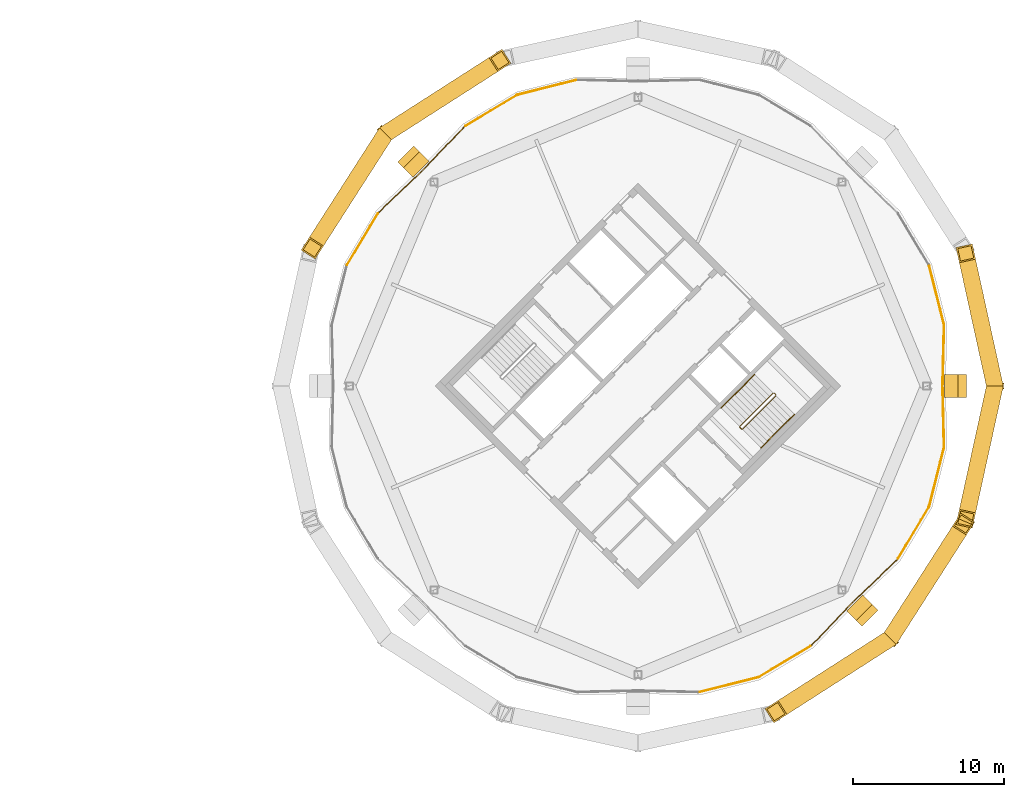
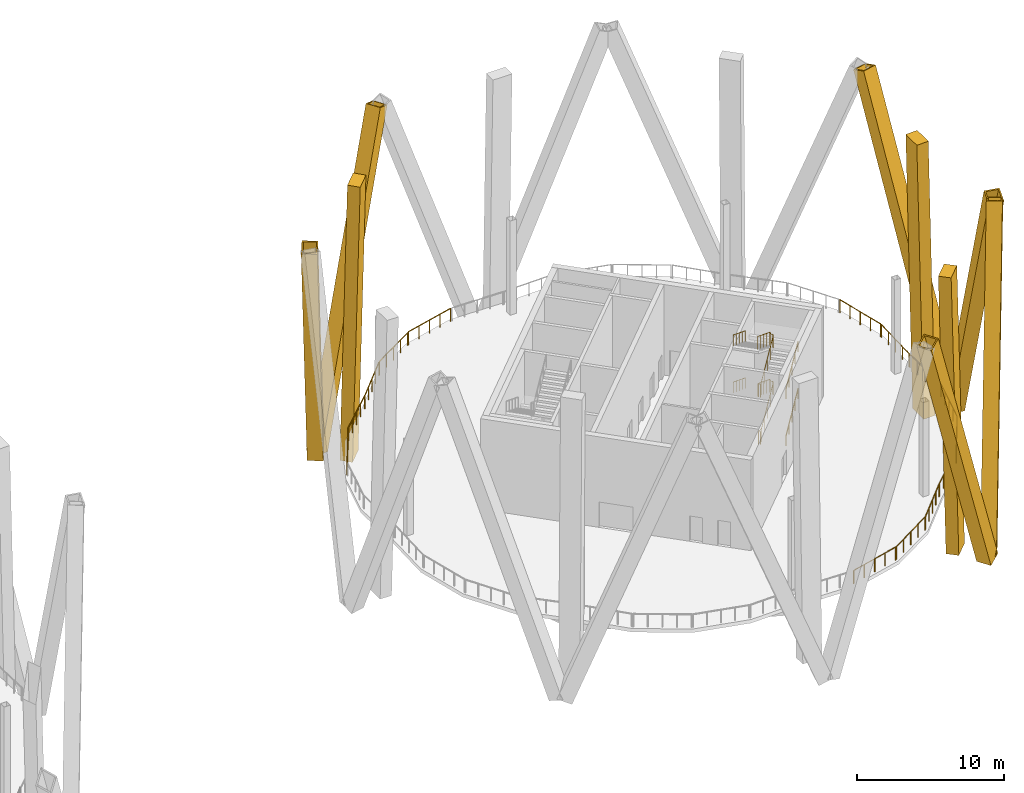
# One storey, part 12 of 13: 19 railings, 9 coverings.
"""IFC4 building model written with IfcOpenShell, lengths in metres."""

from ifc_helpers import new_model, si_unit, direction, frame, origin, origin_2d, place, context, subcontext, project, spatial, rectangle, hollow_rectangle, circle, extrude, material, material_profile, profile_set, type_object, element, save


model = new_model("IFC4")

# Units and contexts
model_context = context("Model", 3, precision=1e-05, world=origin(), true_north=direction((0.0, 1.0)))
body_context = subcontext(model_context, "Body", "Model", "MODEL_VIEW")
ifc_project = project(units=[si_unit("LENGTHUNIT", "METRE"), si_unit("AREAUNIT", "SQUARE_METRE"), si_unit("VOLUMEUNIT", "CUBIC_METRE"), si_unit("PLANEANGLEUNIT", "RADIAN"), si_unit("MASSUNIT", "GRAM", prefix="KILO")], contexts=[model_context])

# Site, building, storey
site_placement = place(None, origin())
site = spatial("IfcSite", under=ifc_project, at=site_placement, CompositionType="ELEMENT")
building_placement = place(site_placement, origin())
building = spatial("IfcBuilding", under=site, at=building_placement, Name="Ogive Gate Towers", CompositionType="ELEMENT")
storey_placement = place(building_placement, frame((0.0, 0.0, 221.10009765625)))
storey = spatial("IfcBuildingStorey", under=building, at=storey_placement, Name="L53", CompositionType="ELEMENT", Elevation=221.10009765625)

# Coverings
ifc_material_1 = material(Name="Pale metal aluminium", Category="aluminium")
ifc_material_profile_1 = material_profile(ifc_material_1, rectangle(XDim=1.5, YDim=0.89990234375, at=origin_2d()), Name="1500 x 900 pale metal aluminium")
ifc_profile_set_1 = profile_set([ifc_material_profile_1], Name="Pale metal aluminium")
covering_type_1 = type_object("IfcCoveringType", Name="Crease colonnette 1500 x 900", PredefinedType="CLADDING", material=ifc_profile_set_1)
for number, where, z_axis, x_axis, name in (
    (1, (57.300048828125, 0.0, -4.10009765625), (-0.023576037518, 0.0, 0.999722046598), (0.0, -1.0, 0.0), "Crease colonnette"),
    (2, (20.938720703125, 15.061279296875, -4.10009765625), (0.016658843266, -0.016658843266, 0.999722444423), (0.707106781187, 0.707106781187, 0.0), "Crease colonnette"),
    (3, (51.061279296875, -15.061279296875, -4.10009765625), (-0.016658843266, 0.016658843266, 0.999722444423), (-0.707106781187, -0.707106781187, 0.0), "Crease colonnette"),
):
    element("IfcCovering", number, at=place(storey_placement, frame(where, z_axis=z_axis, x_axis=x_axis)), inside=storey, type_object=covering_type_1, Name=name, PredefinedType="CLADDING", context=body_context, shape_type="SweptSolid", body=[
        extrude(rectangle(XDim=1.5, YDim=0.89990234375, at=origin_2d()), origin(), (0.0, 0.0, 1.0), 22.90625),
    ])
ifc_material_2 = material(Name="Pale metal aluminium cladding", Category="aluminium")
ifc_material_profile_2 = material_profile(ifc_material_2, hollow_rectangle(XDim=1.10009765625, YDim=1.10009765625, WallThickness=0.10009765625, at=origin_2d()), Name="1100 x 1100 pale metal casing")
ifc_profile_set_2 = profile_set([ifc_material_profile_2], Name="Pale metal aluminium cladding")
covering_type_2 = type_object("IfcCoveringType", Name="Diagrid casing 1100 x 1100", PredefinedType="CLADDING", material=ifc_profile_set_2)
for number, where, z_axis, x_axis, name in (
    (4, (59.598388671875, -0.190185546875, -4.28564453125), (-0.075666188723, -0.345556326789, 0.935342425479), (0.976855297025, -0.21390121242, 0.0), "Diagrid casing"),
    (5, (59.598388671875, 0.190185546875, -4.28564453125), (-0.075666188723, 0.345556326789, 0.935342425479), (-0.976855297025, -0.21390121242, 0.0), "Diagrid casing"),
    (6, (19.44775390625, 16.821044921875, -4.28564453125), (0.297856011223, 0.1908382324, 0.935340882049), (-0.539475544511, 0.842001268927, 0.0), "Diagrid casing"),
    (7, (19.178955078125, 16.55224609375, -4.28564453125), (-0.1908382324, -0.297856011223, 0.935340882049), (0.842001268927, -0.539475544511, 0.0), "Diagrid casing"),
    (8, (52.55224609375, -16.821044921875, -4.28564453125), (-0.297856011223, -0.1908382324, 0.935340882049), (0.539475544511, -0.842001268927, 0.0), "Diagrid casing"),
    (9, (52.821044921875, -16.55224609375, -4.28564453125), (0.1908382324, 0.297856011223, 0.935340882049), (-0.842001268927, 0.539475544511, 0.0), "Diagrid casing"),
):
    element("IfcCovering", number, at=place(storey_placement, frame(where, z_axis=z_axis, x_axis=x_axis)), inside=storey, type_object=covering_type_2, Name=name, PredefinedType="CLADDING", context=body_context, shape_type="SweptSolid", body=[
        extrude(hollow_rectangle(XDim=1.10009765625, YDim=1.10009765625, WallThickness=0.10009765625, at=origin_2d()), origin(), (0.0, 0.0, 1.0), 24.8798828125),
    ])

# Railings
ifc_material_3 = material(Name="Stainless steel", Category="steel")
railing_type_1 = type_object("IfcRailingType", Name="Guard 1100", PredefinedType="GUARDRAIL", material=ifc_material_3)
railing_1_placement = place(storey_placement, frame((56.18115234375, 0.050048828125, 0.0)))
element("IfcRailing", 10, at=railing_1_placement, inside=storey, type_object=railing_type_1, Name="Wind floor guard", PredefinedType="GUARDRAIL", context=body_context, shape_type="SweptSolid", body=[
    extrude(circle(Radius=0.02392578125, at=origin_2d()), frame((0.0, 0.0, 1.076171875), z_axis=(0.024276086252, 0.999705292392, 0.0), x_axis=(-0.999705292392, 0.024276086252, 0.0)), (0.0, 0.0, 1.0), 3.952392578125),
    extrude(circle(Radius=0.02099609375, at=origin_2d()), origin(), (0.0, 0.0, 1.0), 1.052001953125),
    extrude(circle(Radius=0.02099609375, at=origin_2d()), frame((0.02392578125, 0.98779296875, 0.0)), (0.0, 0.0, 1.0), 1.052001953125),
    extrude(circle(Radius=0.02099609375, at=origin_2d()), frame((0.0478515625, 1.9755859375, 0.0)), (0.0, 0.0, 1.0), 1.052001953125),
    extrude(circle(Radius=0.02099609375, at=origin_2d()), frame((0.072021484375, 2.96337890625, 0.0)), (0.0, 0.0, 1.0), 1.052001953125),
    extrude(circle(Radius=0.02099609375, at=origin_2d()), frame((0.095947265625, 3.951171875, 0.0)), (0.0, 0.0, 1.0), 1.052001953125),
])
railing_2_placement = place(storey_placement, frame((56.26611328125, 4.099609375, 0.0)))
element("IfcRailing", 11, at=railing_2_placement, inside=storey, type_object=railing_type_1, Name="Wind floor guard", PredefinedType="GUARDRAIL", context=body_context, shape_type="SweptSolid", body=[
    extrude(circle(Radius=0.02392578125, at=origin_2d()), frame((0.0, 0.0, 1.076171875), z_axis=(-0.243710163723, 0.969848109808, 0.0), x_axis=(-0.969848109808, -0.243710163723, 0.0)), (0.0, 0.0, 1.0), 3.9609375),
    extrude(circle(Radius=0.02099609375, at=origin_2d()), origin(), (0.0, 0.0, 1.0), 1.052001953125),
    extrude(circle(Radius=0.02099609375, at=origin_2d()), frame((-0.2412109375, 0.96044921875, 0.0)), (0.0, 0.0, 1.0), 1.052001953125),
    extrude(circle(Radius=0.02099609375, at=origin_2d()), frame((-0.482666015625, 1.9208984375, 0.0)), (0.0, 0.0, 1.0), 1.052001953125),
    extrude(circle(Radius=0.02099609375, at=origin_2d()), frame((-0.72412109375, 2.881103515625, 0.0)), (0.0, 0.0, 1.0), 1.052001953125),
    extrude(circle(Radius=0.02099609375, at=origin_2d()), frame((-0.96533203125, 3.841552734375, 0.0)), (0.0, 0.0, 1.0), 1.052001953125),
])
railing_3_placement = place(storey_placement, frame((31.900390625, 20.26611328125, 0.0)))
element("IfcRailing", 12, at=railing_3_placement, inside=storey, type_object=railing_type_1, Name="Wind floor guard", PredefinedType="GUARDRAIL", context=body_context, shape_type="SweptSolid", body=[
    extrude(circle(Radius=0.02392578125, at=origin_2d()), frame((0.0, 0.0, 1.076171875), z_axis=(-0.969848109808, -0.243710163723, 0.0), x_axis=(0.243710163723, -0.969848109808, 0.0)), (0.0, 0.0, 1.0), 3.9609375),
    extrude(circle(Radius=0.02099609375, at=origin_2d()), origin(), (0.0, 0.0, 1.0), 1.052001953125),
    extrude(circle(Radius=0.02099609375, at=origin_2d()), frame((-0.96044921875, -0.2412109375, 0.0)), (0.0, 0.0, 1.0), 1.052001953125),
    extrude(circle(Radius=0.02099609375, at=origin_2d()), frame((-1.9208984375, -0.482666015625, 0.0)), (0.0, 0.0, 1.0), 1.052001953125),
    extrude(circle(Radius=0.02099609375, at=origin_2d()), frame((-2.881103515625, -0.72412109375, 0.0)), (0.0, 0.0, 1.0), 1.052001953125),
    extrude(circle(Radius=0.02099609375, at=origin_2d()), frame((-3.841552734375, -0.96533203125, 0.0)), (0.0, 0.0, 1.0), 1.052001953125),
])
railing_4_placement = place(storey_placement, frame((27.967529296875, 19.262939453125, 0.0)))
element("IfcRailing", 13, at=railing_4_placement, inside=storey, type_object=railing_type_1, Name="Wind floor guard", PredefinedType="GUARDRAIL", context=body_context, shape_type="SweptSolid", body=[
    extrude(circle(Radius=0.02392578125, at=origin_2d()), frame((0.0, 0.0, 1.076171875), z_axis=(-0.858096005426, -0.513489284672, 0.0), x_axis=(0.513489284672, -0.858096005426, 0.0)), (0.0, 0.0, 1.0), 3.9609375),
    extrude(circle(Radius=0.02099609375, at=origin_2d()), origin(), (0.0, 0.0, 1.0), 1.052001953125),
    extrude(circle(Radius=0.02099609375, at=origin_2d()), frame((-0.849609375, -0.508544921875, 0.0)), (0.0, 0.0, 1.0), 1.052001953125),
    extrude(circle(Radius=0.02099609375, at=origin_2d()), frame((-1.699462890625, -1.01708984375, 0.0)), (0.0, 0.0, 1.0), 1.052001953125),
    extrude(circle(Radius=0.02099609375, at=origin_2d()), frame((-2.54931640625, -1.525390625, 0.0)), (0.0, 0.0, 1.0), 1.052001953125),
    extrude(circle(Radius=0.02099609375, at=origin_2d()), frame((-3.39892578125, -2.033935546875, 0.0)), (0.0, 0.0, 1.0), 1.052001953125),
])
railing_5_placement = place(storey_placement, frame((24.4912109375, 17.167236328125, 0.0)))
element("IfcRailing", 14, at=railing_5_placement, inside=storey, type_object=railing_type_1, Name="Wind floor guard", PredefinedType="GUARDRAIL", context=body_context, shape_type="SweptSolid", body=[
    extrude(circle(Radius=0.02392578125, at=origin_2d()), frame((0.0, 0.0, 1.076171875), z_axis=(-0.689756969801, -0.724040967494, 0.0), x_axis=(0.724040967494, -0.689756969801, 0.0)), (0.0, 0.0, 1.0), 3.9521484375),
    extrude(circle(Radius=0.02099609375, at=origin_2d()), origin(), (0.0, 0.0, 1.0), 1.052001953125),
    extrude(circle(Radius=0.02099609375, at=origin_2d()), frame((-0.681640625, -0.71533203125, 0.0)), (0.0, 0.0, 1.0), 1.052001953125),
    extrude(circle(Radius=0.02099609375, at=origin_2d()), frame((-1.363037109375, -1.4306640625, 0.0)), (0.0, 0.0, 1.0), 1.052001953125),
    extrude(circle(Radius=0.02099609375, at=origin_2d()), frame((-2.04443359375, -2.146240234375, 0.0)), (0.0, 0.0, 1.0), 1.052001953125),
    extrude(circle(Radius=0.02099609375, at=origin_2d()), frame((-2.72607421875, -2.861572265625, 0.0)), (0.0, 0.0, 1.0), 1.052001953125),
])
railing_6_placement = place(storey_placement, frame((21.6943359375, 14.23486328125, 0.0)))
element("IfcRailing", 15, at=railing_6_placement, inside=storey, type_object=railing_type_1, Name="Wind floor guard", PredefinedType="GUARDRAIL", context=body_context, shape_type="SweptSolid", body=[
    extrude(circle(Radius=0.02392578125, at=origin_2d()), frame((0.0, 0.0, 1.076171875), z_axis=(-0.724040967494, -0.689756969801, 0.0), x_axis=(0.689756969801, -0.724040967494, 0.0)), (0.0, 0.0, 1.0), 3.9521484375),
    extrude(circle(Radius=0.02099609375, at=origin_2d()), origin(), (0.0, 0.0, 1.0), 1.052001953125),
    extrude(circle(Radius=0.02099609375, at=origin_2d()), frame((-0.71533203125, -0.681640625, 0.0)), (0.0, 0.0, 1.0), 1.052001953125),
    extrude(circle(Radius=0.02099609375, at=origin_2d()), frame((-1.4306640625, -1.363037109375, 0.0)), (0.0, 0.0, 1.0), 1.052001953125),
    extrude(circle(Radius=0.02099609375, at=origin_2d()), frame((-2.146240234375, -2.04443359375, 0.0)), (0.0, 0.0, 1.0), 1.052001953125),
    extrude(circle(Radius=0.02099609375, at=origin_2d()), frame((-2.861572265625, -2.72607421875, 0.0)), (0.0, 0.0, 1.0), 1.052001953125),
])
railing_7_placement = place(storey_placement, frame((18.77099609375, 11.431396484375, 0.0)))
element("IfcRailing", 16, at=railing_7_placement, inside=storey, type_object=railing_type_1, Name="Wind floor guard", PredefinedType="GUARDRAIL", context=body_context, shape_type="SweptSolid", body=[
    extrude(circle(Radius=0.02392578125, at=origin_2d()), frame((0.0, 0.0, 1.076171875), z_axis=(-0.513489284672, -0.858096005426, 0.0), x_axis=(0.858096005426, -0.513489284672, 0.0)), (0.0, 0.0, 1.0), 3.9609375),
    extrude(circle(Radius=0.02099609375, at=origin_2d()), origin(), (0.0, 0.0, 1.0), 1.052001953125),
    extrude(circle(Radius=0.02099609375, at=origin_2d()), frame((-0.508544921875, -0.849609375, 0.0)), (0.0, 0.0, 1.0), 1.052001953125),
    extrude(circle(Radius=0.02099609375, at=origin_2d()), frame((-1.01708984375, -1.699462890625, 0.0)), (0.0, 0.0, 1.0), 1.052001953125),
    extrude(circle(Radius=0.02099609375, at=origin_2d()), frame((-1.525390625, -2.54931640625, 0.0)), (0.0, 0.0, 1.0), 1.052001953125),
    extrude(circle(Radius=0.02099609375, at=origin_2d()), frame((-2.033935546875, -3.39892578125, 0.0)), (0.0, 0.0, 1.0), 1.052001953125),
])
railing_8_placement = place(storey_placement, frame((40.099609375, -20.26611328125, 0.0)))
element("IfcRailing", 17, at=railing_8_placement, inside=storey, type_object=railing_type_1, Name="Wind floor guard", PredefinedType="GUARDRAIL", context=body_context, shape_type="SweptSolid", body=[
    extrude(circle(Radius=0.02392578125, at=origin_2d()), frame((0.0, 0.0, 1.076171875), z_axis=(0.969848109808, 0.243710163723, 0.0), x_axis=(-0.243710163723, 0.969848109808, 0.0)), (0.0, 0.0, 1.0), 3.9609375),
    extrude(circle(Radius=0.02099609375, at=origin_2d()), origin(), (0.0, 0.0, 1.0), 1.052001953125),
    extrude(circle(Radius=0.02099609375, at=origin_2d()), frame((0.96044921875, 0.2412109375, 0.0)), (0.0, 0.0, 1.0), 1.052001953125),
    extrude(circle(Radius=0.02099609375, at=origin_2d()), frame((1.9208984375, 0.482666015625, 0.0)), (0.0, 0.0, 1.0), 1.052001953125),
    extrude(circle(Radius=0.02099609375, at=origin_2d()), frame((2.881103515625, 0.72412109375, 0.0)), (0.0, 0.0, 1.0), 1.052001953125),
    extrude(circle(Radius=0.02099609375, at=origin_2d()), frame((3.841552734375, 0.96533203125, 0.0)), (0.0, 0.0, 1.0), 1.052001953125),
])
railing_9_placement = place(storey_placement, frame((44.032470703125, -19.262939453125, 0.0)))
element("IfcRailing", 18, at=railing_9_placement, inside=storey, type_object=railing_type_1, Name="Wind floor guard", PredefinedType="GUARDRAIL", context=body_context, shape_type="SweptSolid", body=[
    extrude(circle(Radius=0.02392578125, at=origin_2d()), frame((0.0, 0.0, 1.076171875), z_axis=(0.858096005426, 0.513489284672, 0.0), x_axis=(-0.513489284672, 0.858096005426, 0.0)), (0.0, 0.0, 1.0), 3.9609375),
    extrude(circle(Radius=0.02099609375, at=origin_2d()), origin(), (0.0, 0.0, 1.0), 1.052001953125),
    extrude(circle(Radius=0.02099609375, at=origin_2d()), frame((0.849609375, 0.508544921875, 0.0)), (0.0, 0.0, 1.0), 1.052001953125),
    extrude(circle(Radius=0.02099609375, at=origin_2d()), frame((1.699462890625, 1.01708984375, 0.0)), (0.0, 0.0, 1.0), 1.052001953125),
    extrude(circle(Radius=0.02099609375, at=origin_2d()), frame((2.54931640625, 1.525390625, 0.0)), (0.0, 0.0, 1.0), 1.052001953125),
    extrude(circle(Radius=0.02099609375, at=origin_2d()), frame((3.39892578125, 2.033935546875, 0.0)), (0.0, 0.0, 1.0), 1.052001953125),
])
railing_10_placement = place(storey_placement, frame((47.5087890625, -17.167236328125, 0.0)))
element("IfcRailing", 19, at=railing_10_placement, inside=storey, type_object=railing_type_1, Name="Wind floor guard", PredefinedType="GUARDRAIL", context=body_context, shape_type="SweptSolid", body=[
    extrude(circle(Radius=0.02392578125, at=origin_2d()), frame((0.0, 0.0, 1.076171875), z_axis=(0.689756969801, 0.724040967494, 0.0), x_axis=(-0.724040967494, 0.689756969801, 0.0)), (0.0, 0.0, 1.0), 3.9521484375),
    extrude(circle(Radius=0.02099609375, at=origin_2d()), origin(), (0.0, 0.0, 1.0), 1.052001953125),
    extrude(circle(Radius=0.02099609375, at=origin_2d()), frame((0.681640625, 0.71533203125, 0.0)), (0.0, 0.0, 1.0), 1.052001953125),
    extrude(circle(Radius=0.02099609375, at=origin_2d()), frame((1.363037109375, 1.4306640625, 0.0)), (0.0, 0.0, 1.0), 1.052001953125),
    extrude(circle(Radius=0.02099609375, at=origin_2d()), frame((2.04443359375, 2.146240234375, 0.0)), (0.0, 0.0, 1.0), 1.052001953125),
    extrude(circle(Radius=0.02099609375, at=origin_2d()), frame((2.72607421875, 2.861572265625, 0.0)), (0.0, 0.0, 1.0), 1.052001953125),
])
railing_11_placement = place(storey_placement, frame((50.3056640625, -14.23486328125, 0.0)))
element("IfcRailing", 20, at=railing_11_placement, inside=storey, type_object=railing_type_1, Name="Wind floor guard", PredefinedType="GUARDRAIL", context=body_context, shape_type="SweptSolid", body=[
    extrude(circle(Radius=0.02392578125, at=origin_2d()), frame((0.0, 0.0, 1.076171875), z_axis=(0.724040967494, 0.689756969801, 0.0), x_axis=(-0.689756969801, 0.724040967494, 0.0)), (0.0, 0.0, 1.0), 3.9521484375),
    extrude(circle(Radius=0.02099609375, at=origin_2d()), origin(), (0.0, 0.0, 1.0), 1.052001953125),
    extrude(circle(Radius=0.02099609375, at=origin_2d()), frame((0.71533203125, 0.681640625, 0.0)), (0.0, 0.0, 1.0), 1.052001953125),
    extrude(circle(Radius=0.02099609375, at=origin_2d()), frame((1.4306640625, 1.363037109375, 0.0)), (0.0, 0.0, 1.0), 1.052001953125),
    extrude(circle(Radius=0.02099609375, at=origin_2d()), frame((2.146240234375, 2.04443359375, 0.0)), (0.0, 0.0, 1.0), 1.052001953125),
    extrude(circle(Radius=0.02099609375, at=origin_2d()), frame((2.861572265625, 2.72607421875, 0.0)), (0.0, 0.0, 1.0), 1.052001953125),
])
railing_12_placement = place(storey_placement, frame((53.22900390625, -11.431396484375, 0.0)))
element("IfcRailing", 21, at=railing_12_placement, inside=storey, type_object=railing_type_1, Name="Wind floor guard", PredefinedType="GUARDRAIL", context=body_context, shape_type="SweptSolid", body=[
    extrude(circle(Radius=0.02392578125, at=origin_2d()), frame((0.0, 0.0, 1.076171875), z_axis=(0.513489284672, 0.858096005426, 0.0), x_axis=(-0.858096005426, 0.513489284672, 0.0)), (0.0, 0.0, 1.0), 3.9609375),
    extrude(circle(Radius=0.02099609375, at=origin_2d()), origin(), (0.0, 0.0, 1.0), 1.052001953125),
    extrude(circle(Radius=0.02099609375, at=origin_2d()), frame((0.508544921875, 0.849609375, 0.0)), (0.0, 0.0, 1.0), 1.052001953125),
    extrude(circle(Radius=0.02099609375, at=origin_2d()), frame((1.01708984375, 1.699462890625, 0.0)), (0.0, 0.0, 1.0), 1.052001953125),
    extrude(circle(Radius=0.02099609375, at=origin_2d()), frame((1.525390625, 2.54931640625, 0.0)), (0.0, 0.0, 1.0), 1.052001953125),
    extrude(circle(Radius=0.02099609375, at=origin_2d()), frame((2.033935546875, 3.39892578125, 0.0)), (0.0, 0.0, 1.0), 1.052001953125),
])
railing_13_placement = place(storey_placement, frame((55.30078125, -7.941162109375, 0.0)))
element("IfcRailing", 22, at=railing_13_placement, inside=storey, type_object=railing_type_1, Name="Wind floor guard", PredefinedType="GUARDRAIL", context=body_context, shape_type="SweptSolid", body=[
    extrude(circle(Radius=0.02392578125, at=origin_2d()), frame((0.0, 0.0, 1.076171875), z_axis=(0.243710163723, 0.969848109808, 0.0), x_axis=(-0.969848109808, 0.243710163723, 0.0)), (0.0, 0.0, 1.0), 3.9609375),
    extrude(circle(Radius=0.02099609375, at=origin_2d()), origin(), (0.0, 0.0, 1.0), 1.052001953125),
    extrude(circle(Radius=0.02099609375, at=origin_2d()), frame((0.2412109375, 0.96044921875, 0.0)), (0.0, 0.0, 1.0), 1.052001953125),
    extrude(circle(Radius=0.02099609375, at=origin_2d()), frame((0.482666015625, 1.9208984375, 0.0)), (0.0, 0.0, 1.0), 1.052001953125),
    extrude(circle(Radius=0.02099609375, at=origin_2d()), frame((0.72412109375, 2.881103515625, 0.0)), (0.0, 0.0, 1.0), 1.052001953125),
    extrude(circle(Radius=0.02099609375, at=origin_2d()), frame((0.96533203125, 3.841552734375, 0.0)), (0.0, 0.0, 1.0), 1.052001953125),
])
railing_14_placement = place(storey_placement, frame((56.277099609375, -4.001220703125, 0.0)))
element("IfcRailing", 23, at=railing_14_placement, inside=storey, type_object=railing_type_1, Name="Wind floor guard", PredefinedType="GUARDRAIL", context=body_context, shape_type="SweptSolid", body=[
    extrude(circle(Radius=0.02392578125, at=origin_2d()), frame((0.0, 0.0, 1.076171875), z_axis=(-0.024276086252, 0.999705292392, 0.0), x_axis=(-0.999705292392, -0.024276086252, 0.0)), (0.0, 0.0, 1.0), 3.952392578125),
    extrude(circle(Radius=0.02099609375, at=origin_2d()), origin(), (0.0, 0.0, 1.0), 1.052001953125),
    extrude(circle(Radius=0.02099609375, at=origin_2d()), frame((-0.02392578125, 0.98779296875, 0.0)), (0.0, 0.0, 1.0), 1.052001953125),
    extrude(circle(Radius=0.02099609375, at=origin_2d()), frame((-0.0478515625, 1.9755859375, 0.0)), (0.0, 0.0, 1.0), 1.052001953125),
    extrude(circle(Radius=0.02099609375, at=origin_2d()), frame((-0.072021484375, 2.96337890625, 0.0)), (0.0, 0.0, 1.0), 1.052001953125),
    extrude(circle(Radius=0.02099609375, at=origin_2d()), frame((-0.095947265625, 3.951171875, 0.0)), (0.0, 0.0, 1.0), 1.052001953125),
])
railing_type_2 = type_object("IfcRailingType", Name="Stair guard 1100", PredefinedType="GUARDRAIL", material=ifc_material_3)
railing_15_placement = place(storey_placement, frame((42.84130859375, -2.8603515625, 0.0)))
element("IfcRailing", 24, at=railing_15_placement, inside=storey, type_object=railing_type_2, Name="L53 ST2 stair guard 1", PredefinedType="GUARDRAIL", context=body_context, shape_type="SweptSolid", body=[
    extrude(circle(Radius=0.02392578125, at=origin_2d()), frame((0.0, 0.0, 1.076171875), z_axis=(-0.707106781187, 0.707106781187, 0.0), x_axis=(-0.707106781187, -0.707106781187, 0.0)), (0.0, 0.0, 1.0), 0.14501953125),
    extrude(circle(Radius=0.02392578125, at=origin_2d()), frame((-0.1025390625, 0.1025390625, 1.076171875), z_axis=(0.645571447971, -0.382425963537, 0.661050594114), x_axis=(0.509669330572, 0.860370369942, 0.0)), (0.0, 0.0, 1.0), 0.26806640625),
    extrude(circle(Radius=0.02392578125, at=origin_2d()), frame((0.070556640625, 0.0, 1.25341796875), z_axis=(0.61558473135, 0.61558473135, 0.49204763698), x_axis=(-0.707106781187, 0.707106781187, 0.0)), (0.0, 0.0, 1.0), 3.602783203125),
    extrude(circle(Radius=0.02392578125, at=origin_2d()), frame((2.288330078125, 2.2177734375, 3.02587890625), z_axis=(0.0, 1.0, 0.0), x_axis=(-1.0, 0.0, 0.0)), (0.0, 0.0, 1.0), 0.07080078125),
    extrude(circle(Radius=0.02392578125, at=origin_2d()), frame((2.288330078125, 2.28857421875, 3.02587890625), z_axis=(-0.707106781187, 0.707106781187, 0.0), x_axis=(-0.707106781187, -0.707106781187, 0.0)), (0.0, 0.0, 1.0), 0.14501953125),
    extrude(circle(Radius=0.02392578125, at=origin_2d()), frame((2.185791015625, 2.39111328125, 3.02587890625), z_axis=(-0.369845645421, 0.0, 0.929093213065), x_axis=(0.0, -1.0, 0.0)), (0.0, 0.0, 1.0), 0.190673828125),
    extrude(circle(Radius=0.02392578125, at=origin_2d()), frame((2.115234375, 2.39111328125, 3.203125), z_axis=(-0.61558473135, -0.61558473135, 0.49204763698), x_axis=(0.707106781187, -0.707106781187, 0.0)), (0.0, 0.0, 1.0), 3.602783203125),
    extrude(circle(Radius=0.02392578125, at=origin_2d()), frame((-0.1025390625, 0.17333984375, 4.97607421875), z_axis=(0.509137664008, -0.860685098679, 0.0), x_axis=(0.860685098679, 0.509137664008, 0.0)), (0.0, 0.0, 1.0), 0.201416015625),
    extrude(circle(Radius=0.02392578125, at=origin_2d()), frame((0.0, 0.0, 4.97607421875), z_axis=(-0.707106781187, 0.707106781187, 0.0), x_axis=(-0.707106781187, -0.707106781187, 0.0)), (0.0, 0.0, 1.0), 0.14501953125),
    extrude(circle(Radius=0.02392578125, at=origin_2d()), frame((-0.1025390625, 0.1025390625, 4.97607421875), z_axis=(0.645571447971, -0.382425963537, 0.661050594114), x_axis=(0.509669330572, 0.860370369942, 0.0)), (0.0, 0.0, 1.0), 0.26806640625),
    extrude(circle(Radius=0.02392578125, at=origin_2d()), frame((0.070556640625, 0.0, 5.1533203125), z_axis=(0.61558473135, 0.61558473135, 0.49204763698), x_axis=(-0.707106781187, 0.707106781187, 0.0)), (0.0, 0.0, 1.0), 3.602783203125),
    extrude(circle(Radius=0.02392578125, at=origin_2d()), frame((2.288330078125, 2.2177734375, 6.92578125), z_axis=(0.0, 1.0, 0.0), x_axis=(-1.0, 0.0, 0.0)), (0.0, 0.0, 1.0), 0.07080078125),
    extrude(circle(Radius=0.02392578125, at=origin_2d()), frame((2.288330078125, 2.28857421875, 6.92578125), z_axis=(-0.707106781187, 0.707106781187, 0.0), x_axis=(-0.707106781187, -0.707106781187, 0.0)), (0.0, 0.0, 1.0), 0.14501953125),
    extrude(circle(Radius=0.02392578125, at=origin_2d()), frame((2.185791015625, 2.39111328125, 6.92578125), z_axis=(-0.369845645421, 0.0, 0.929093213065), x_axis=(0.0, -1.0, 0.0)), (0.0, 0.0, 1.0), 0.190673828125),
    extrude(circle(Radius=0.02392578125, at=origin_2d()), frame((2.115234375, 2.39111328125, 7.10302734375), z_axis=(-0.61558473135, -0.61558473135, 0.49204763698), x_axis=(0.707106781187, -0.707106781187, 0.0)), (0.0, 0.0, 1.0), 3.602783203125),
    extrude(circle(Radius=0.02099609375, at=origin_2d()), origin(), (0.0, 0.0, 1.0), 1.052001953125),
    extrude(circle(Radius=0.02099609375, at=origin_2d()), frame((-0.1025390625, 0.1025390625, 0.0)), (0.0, 0.0, 1.0), 1.052001953125),
    extrude(circle(Radius=0.02099609375, at=origin_2d()), frame((0.070556640625, 0.0, 0.17724609375)), (0.0, 0.0, 1.0), 1.052001953125),
    extrude(circle(Radius=0.02099609375, at=origin_2d()), frame((0.625, 0.554443359375, 0.620361328125)), (0.0, 0.0, 1.0), 1.052001953125),
    extrude(circle(Radius=0.02099609375, at=origin_2d()), frame((1.179443359375, 1.10888671875, 1.0634765625)), (0.0, 0.0, 1.0), 1.052001953125),
    extrude(circle(Radius=0.02099609375, at=origin_2d()), frame((1.73388671875, 1.663330078125, 1.5068359375)), (0.0, 0.0, 1.0), 1.052001953125),
    extrude(circle(Radius=0.02099609375, at=origin_2d()), frame((2.288330078125, 2.2177734375, 1.949951171875)), (0.0, 0.0, 1.0), 1.052001953125),
    extrude(circle(Radius=0.02099609375, at=origin_2d()), frame((2.288330078125, 2.28857421875, 1.949951171875)), (0.0, 0.0, 1.0), 1.052001953125),
    extrude(circle(Radius=0.02099609375, at=origin_2d()), frame((2.185791015625, 2.39111328125, 1.949951171875)), (0.0, 0.0, 1.0), 1.052001953125),
    extrude(circle(Radius=0.02099609375, at=origin_2d()), frame((2.115234375, 2.39111328125, 2.127197265625)), (0.0, 0.0, 1.0), 1.052001953125),
    extrude(circle(Radius=0.02099609375, at=origin_2d()), frame((1.560791015625, 1.836669921875, 2.5703125)), (0.0, 0.0, 1.0), 1.052001953125),
    extrude(circle(Radius=0.02099609375, at=origin_2d()), frame((1.00634765625, 1.2822265625, 3.013671875)), (0.0, 0.0, 1.0), 1.052001953125),
    extrude(circle(Radius=0.02099609375, at=origin_2d()), frame((0.451904296875, 0.727783203125, 3.456787109375)), (0.0, 0.0, 1.0), 1.052001953125),
    extrude(circle(Radius=0.02099609375, at=origin_2d()), frame((-0.1025390625, 0.17333984375, 3.89990234375)), (0.0, 0.0, 1.0), 1.052001953125),
    extrude(circle(Radius=0.02099609375, at=origin_2d()), frame((0.0, 0.0, 3.89990234375)), (0.0, 0.0, 1.0), 1.052001953125),
    extrude(circle(Radius=0.02099609375, at=origin_2d()), frame((-0.1025390625, 0.1025390625, 3.89990234375)), (0.0, 0.0, 1.0), 1.052001953125),
    extrude(circle(Radius=0.02099609375, at=origin_2d()), frame((0.070556640625, 0.0, 4.0771484375)), (0.0, 0.0, 1.0), 1.052001953125),
    extrude(circle(Radius=0.02099609375, at=origin_2d()), frame((0.625, 0.554443359375, 4.520263671875)), (0.0, 0.0, 1.0), 1.052001953125),
    extrude(circle(Radius=0.02099609375, at=origin_2d()), frame((1.179443359375, 1.10888671875, 4.96337890625)), (0.0, 0.0, 1.0), 1.052001953125),
    extrude(circle(Radius=0.02099609375, at=origin_2d()), frame((1.73388671875, 1.663330078125, 5.40673828125)), (0.0, 0.0, 1.0), 1.052001953125),
    extrude(circle(Radius=0.02099609375, at=origin_2d()), frame((2.288330078125, 2.2177734375, 5.849853515625)), (0.0, 0.0, 1.0), 1.052001953125),
    extrude(circle(Radius=0.02099609375, at=origin_2d()), frame((2.288330078125, 2.28857421875, 5.849853515625)), (0.0, 0.0, 1.0), 1.052001953125),
    extrude(circle(Radius=0.02099609375, at=origin_2d()), frame((2.185791015625, 2.39111328125, 5.849853515625)), (0.0, 0.0, 1.0), 1.052001953125),
    extrude(circle(Radius=0.02099609375, at=origin_2d()), frame((2.115234375, 2.39111328125, 6.027099609375)), (0.0, 0.0, 1.0), 1.052001953125),
    extrude(circle(Radius=0.02099609375, at=origin_2d()), frame((1.560791015625, 1.836669921875, 6.47021484375)), (0.0, 0.0, 1.0), 1.052001953125),
    extrude(circle(Radius=0.02099609375, at=origin_2d()), frame((1.00634765625, 1.2822265625, 6.91357421875)), (0.0, 0.0, 1.0), 1.052001953125),
    extrude(circle(Radius=0.02099609375, at=origin_2d()), frame((0.451904296875, 0.727783203125, 7.356689453125)), (0.0, 0.0, 1.0), 1.052001953125),
    extrude(circle(Radius=0.02099609375, at=origin_2d()), frame((-0.1025390625, 0.17333984375, 7.7998046875)), (0.0, 0.0, 1.0), 1.052001953125),
])
railing_type_3 = type_object("IfcRailingType", Name="Stair handrail 900", PredefinedType="HANDRAIL", material=ifc_material_3)
railing_16_placement = place(storey_placement, frame((44.142333984375, -4.090576171875, 0.17724609375)))
element("IfcRailing", 25, at=railing_16_placement, inside=storey, type_object=railing_type_3, Name="L53 ST2 stair handrail 1", PredefinedType="HANDRAIL", context=body_context, shape_type="SweptSolid", body=[
    extrude(circle(Radius=0.02392578125, at=origin_2d()), frame((0.0, 0.0, 0.8759765625), z_axis=(0.61558473135, 0.61558473135, 0.49204763698), x_axis=(-0.707106781187, 0.707106781187, 0.0)), (0.0, 0.0, 1.0), 3.602783203125),
    extrude(circle(Radius=0.02099609375, at=origin_2d()), origin(), (0.0, 0.0, 1.0), 0.851806640625),
    extrude(circle(Radius=0.02099609375, at=origin_2d()), frame((0.554443359375, 0.554443359375, 0.443115234375)), (0.0, 0.0, 1.0), 0.851806640625),
    extrude(circle(Radius=0.02099609375, at=origin_2d()), frame((1.10888671875, 1.10888671875, 0.88623046875)), (0.0, 0.0, 1.0), 0.851806640625),
    extrude(circle(Radius=0.02099609375, at=origin_2d()), frame((1.663330078125, 1.663330078125, 1.32958984375)), (0.0, 0.0, 1.0), 0.851806640625),
    extrude(circle(Radius=0.02099609375, at=origin_2d()), frame((2.2177734375, 2.2177734375, 1.772705078125)), (0.0, 0.0, 1.0), 0.851806640625),
])
railing_17_placement = place(storey_placement, frame((43.72607421875, 0.760986328125, 2.127197265625)))
element("IfcRailing", 26, at=railing_17_placement, inside=storey, type_object=railing_type_3, Name="L53 ST2 stair handrail 2", PredefinedType="HANDRAIL", context=body_context, shape_type="SweptSolid", body=[
    extrude(circle(Radius=0.02392578125, at=origin_2d()), frame((0.0, 0.0, 0.8759765625), z_axis=(-0.615610411033, -0.615542642384, 0.4920681632), x_axis=(0.70706785752, -0.70714570271, 0.0)), (0.0, 0.0, 1.0), 3.6025390625),
    extrude(circle(Radius=0.02099609375, at=origin_2d()), origin(), (0.0, 0.0, 1.0), 0.851806640625),
    extrude(circle(Radius=0.02099609375, at=origin_2d()), frame((-0.554443359375, -0.554443359375, 0.443115234375)), (0.0, 0.0, 1.0), 0.851806640625),
    extrude(circle(Radius=0.02099609375, at=origin_2d()), frame((-1.10888671875, -1.10888671875, 0.88623046875)), (0.0, 0.0, 1.0), 0.851806640625),
    extrude(circle(Radius=0.02099609375, at=origin_2d()), frame((-1.663330078125, -1.6630859375, 1.32958984375)), (0.0, 0.0, 1.0), 0.851806640625),
    extrude(circle(Radius=0.02099609375, at=origin_2d()), frame((-2.2177734375, -2.217529296875, 1.772705078125)), (0.0, 0.0, 1.0), 0.851806640625),
])
railing_18_placement = place(storey_placement, frame((44.142333984375, -4.090576171875, 4.0771484375)))
element("IfcRailing", 27, at=railing_18_placement, inside=storey, type_object=railing_type_3, Name="L53 ST2 stair handrail 3", PredefinedType="HANDRAIL", context=body_context, shape_type="SweptSolid", body=[
    extrude(circle(Radius=0.02392578125, at=origin_2d()), frame((0.0, 0.0, 0.8759765625), z_axis=(0.61558473135, 0.61558473135, 0.49204763698), x_axis=(-0.707106781187, 0.707106781187, 0.0)), (0.0, 0.0, 1.0), 3.602783203125),
    extrude(circle(Radius=0.02099609375, at=origin_2d()), origin(), (0.0, 0.0, 1.0), 0.851806640625),
    extrude(circle(Radius=0.02099609375, at=origin_2d()), frame((0.554443359375, 0.554443359375, 0.443115234375)), (0.0, 0.0, 1.0), 0.851806640625),
    extrude(circle(Radius=0.02099609375, at=origin_2d()), frame((1.10888671875, 1.10888671875, 0.88623046875)), (0.0, 0.0, 1.0), 0.851806640625),
    extrude(circle(Radius=0.02099609375, at=origin_2d()), frame((1.663330078125, 1.663330078125, 1.32958984375)), (0.0, 0.0, 1.0), 0.851806640625),
    extrude(circle(Radius=0.02099609375, at=origin_2d()), frame((2.2177734375, 2.2177734375, 1.772705078125)), (0.0, 0.0, 1.0), 0.851806640625),
])
railing_19_placement = place(storey_placement, frame((43.72607421875, 0.760986328125, 6.027099609375)))
element("IfcRailing", 28, at=railing_19_placement, inside=storey, type_object=railing_type_3, Name="L53 ST2 stair handrail 4", PredefinedType="HANDRAIL", context=body_context, shape_type="SweptSolid", body=[
    extrude(circle(Radius=0.02392578125, at=origin_2d()), frame((0.0, 0.0, 0.8759765625), z_axis=(-0.615610411033, -0.615542642384, 0.4920681632), x_axis=(0.70706785752, -0.70714570271, 0.0)), (0.0, 0.0, 1.0), 3.6025390625),
    extrude(circle(Radius=0.02099609375, at=origin_2d()), origin(), (0.0, 0.0, 1.0), 0.851806640625),
    extrude(circle(Radius=0.02099609375, at=origin_2d()), frame((-0.554443359375, -0.554443359375, 0.443115234375)), (0.0, 0.0, 1.0), 0.851806640625),
    extrude(circle(Radius=0.02099609375, at=origin_2d()), frame((-1.10888671875, -1.10888671875, 0.88623046875)), (0.0, 0.0, 1.0), 0.851806640625),
    extrude(circle(Radius=0.02099609375, at=origin_2d()), frame((-1.663330078125, -1.6630859375, 1.32958984375)), (0.0, 0.0, 1.0), 0.851806640625),
    extrude(circle(Radius=0.02099609375, at=origin_2d()), frame((-2.2177734375, -2.217529296875, 1.772705078125)), (0.0, 0.0, 1.0), 0.851806640625),
])

save(model, "model.ifc")
